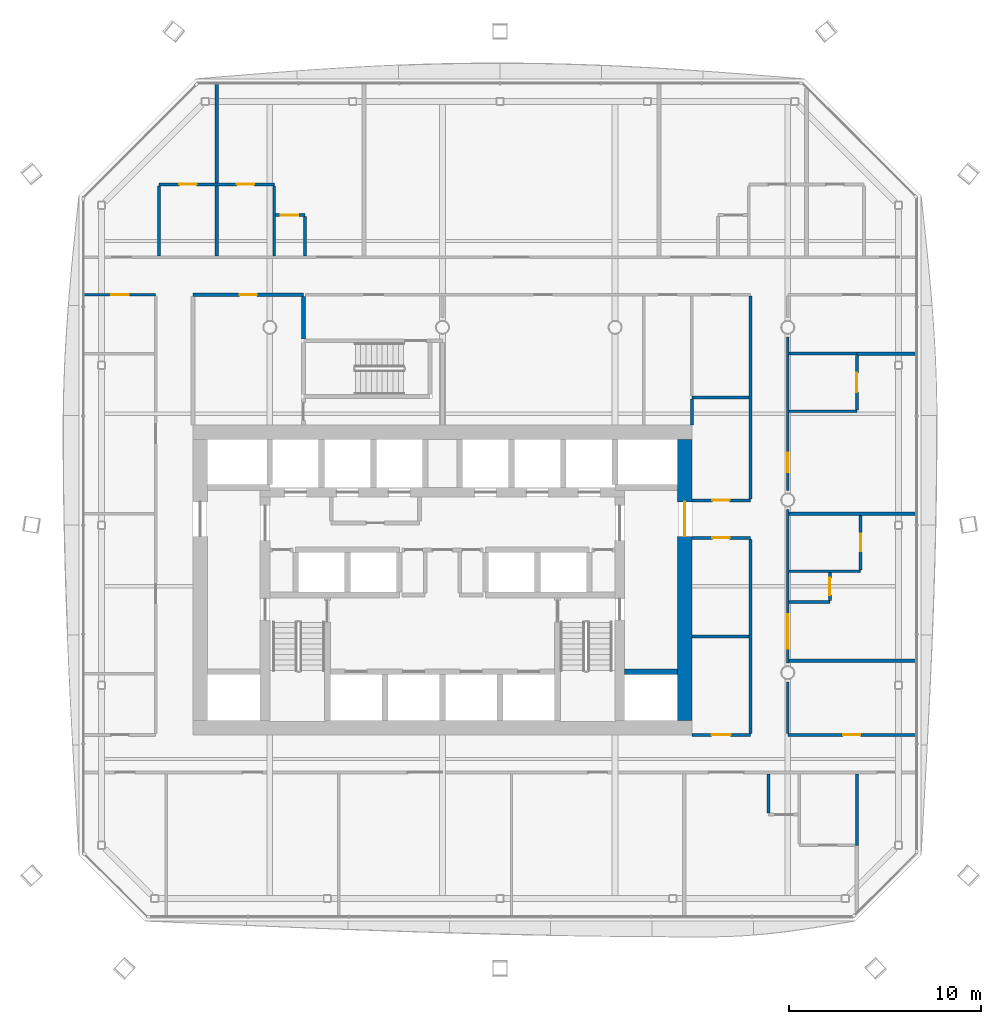
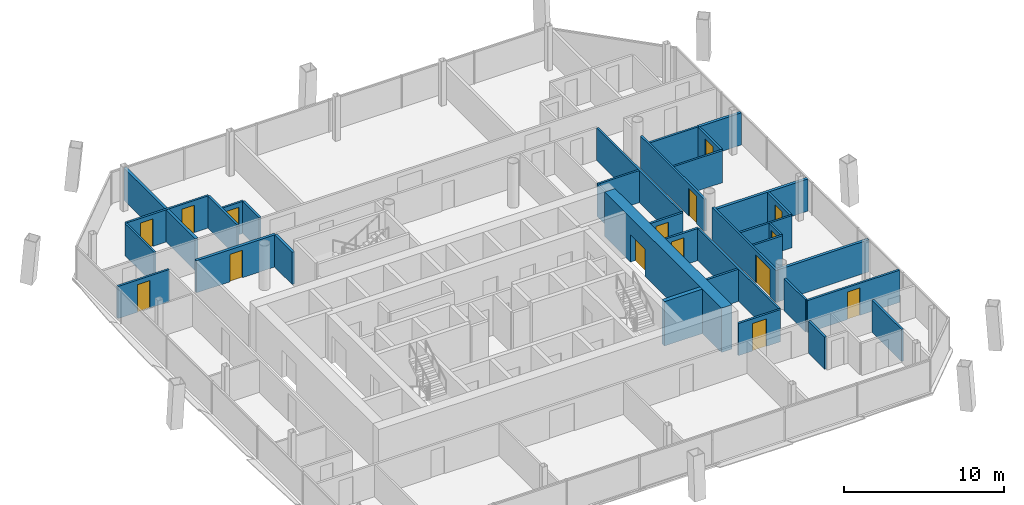
# One storey, part 13 of 17: 35 walls, 15 doors, 15 openings.
"""IFC4 building model written with IfcOpenShell, lengths in metres."""

from ifc_helpers import new_model, si_unit, direction, frame, frame_2d, origin, place, context, subcontext, project, spatial, rectangle, extrude, material, layer, layer_set, type_object, element, fill, save


model = new_model("IFC4")

# Units and contexts
model_context = context("Model", 3, precision=1e-05, world=origin(), true_north=direction((0.0, 1.0)))
body_context = subcontext(model_context, "Body", "Model", "MODEL_VIEW")
ifc_project = project(units=[si_unit("LENGTHUNIT", "METRE"), si_unit("AREAUNIT", "SQUARE_METRE"), si_unit("VOLUMEUNIT", "CUBIC_METRE"), si_unit("PLANEANGLEUNIT", "RADIAN"), si_unit("MASSUNIT", "GRAM", prefix="KILO")], contexts=[model_context])

# Site, building, storey
site_placement = place(None, origin())
site = spatial("IfcSite", under=ifc_project, at=site_placement, CompositionType="ELEMENT")
building_placement = place(site_placement, origin())
building = spatial("IfcBuilding", under=site, at=building_placement, Name="Tskaro Facet Tower", CompositionType="ELEMENT")
storey_placement = place(building_placement, frame((0.0, 0.0, 158.89990234375)))
storey = spatial("IfcBuildingStorey", under=building, at=storey_placement, Name="L39", CompositionType="ELEMENT", Elevation=158.89990234375)

# Wall
ifc_material_1 = material(Name="Concrete C60/75", Category="concrete")
ifc_layer_1 = layer(ifc_material_1, 0.300048828125, Name="Concrete C60/75")
ifc_layer_set_1 = layer_set([ifc_layer_1], Name="Concrete C60/75")
wall_type_1 = type_object("IfcWallType", Name="CORE-SHAFT", PredefinedType="SHEAR", material=ifc_layer_set_1)
wall_1_placement = place(storey_placement, frame((9.5, -8.949951171875, 0.0), z_axis=(0.0, 0.0, 1.0), x_axis=(1.0, 0.0, 0.0)))
element("IfcWall", 1, at=wall_1_placement, inside=storey, type_object=wall_type_1, Name="Shaft wall W010", PredefinedType="SHEAR", context=body_context, shape_type="SweptSolid", body=[
    extrude(rectangle(XDim=2.75, YDim=0.300048828125, at=frame_2d((1.375, 0.0))), origin(), (0.0, 0.0, 1.0), 3.400146484375),
])

# Wall, opening, door
ifc_material_2 = material(Name="Concrete C50/60", Category="concrete")
ifc_layer_2 = layer(ifc_material_2, 0.75, Name="Concrete C50/60")
ifc_layer_set_2 = layer_set([ifc_layer_2], Name="Concrete C50/60")
wall_type_2 = type_object("IfcWallType", Name="Core wall 750", PredefinedType="SHEAR", material=ifc_layer_set_2)
wall_2_placement = place(storey_placement, frame((12.625, -11.5, 0.0), z_axis=(0.0, 0.0, 1.0), x_axis=(0.0, 1.0, 0.0)))
wall_2 = element("IfcWall", 2, at=wall_2_placement, inside=storey, type_object=wall_type_2, Name="Core wall CW-Z2E", PredefinedType="SHEAR", context=body_context, shape_type="SweptSolid", body=[
    extrude(rectangle(XDim=14.64990234375, YDim=0.75, at=frame_2d((7.324951171875, 0.0))), origin(), (0.0, 0.0, 1.0), 3.400146484375),
])
opening_1_placement = place(wall_2_placement, frame((9.60009765625, 0.0, 0.0)))
opening_1 = element("IfcOpeningElement", 3, at=opening_1_placement, cuts=wall_2, Name="Opening T11p-D27", PredefinedType="OPENING", context=body_context, shape_type="SweptSolid", body=[
    extrude(rectangle(XDim=1.800048828125, YDim=2.10009765625, at=frame_2d((0.89990234375, 1.050048828125))), frame((0.0, 0.385009765625, 0.0), z_axis=(0.0, -1.0, 0.0), x_axis=(1.0, 0.0, 0.0)), (0.0, 0.0, 1.0), 0.77001953125),
])
ifc_material_3 = material(Name="Steel", Category="steel")
door_type_1 = type_object("IfcDoorType", Name="D-CORE-PAIR", OperationType="NOTDEFINED", PredefinedType="DOOR", material=ifc_material_3)
door_1_placement = place(opening_1_placement, origin())
door_1 = element("IfcDoor", 4, at=door_1_placement, inside=storey, type_object=door_type_1, Name="Door T11p-D27", OperationType="DOUBLE_DOOR_SINGLE_SWING", OverallHeight=2.10009765625, OverallWidth=1.800048828125, PredefinedType="DOOR", context=body_context, shape_type="SweptSolid", body=[
    extrude(rectangle(XDim=1.800048828125, YDim=2.10009765625, at=frame_2d((0.89990234375, 1.050048828125))), frame((0.0, 0.02490234375, 0.0), z_axis=(0.0, -1.0, 0.0), x_axis=(1.0, 0.0, 0.0)), (0.0, 0.0, 1.0), 0.050048828125),
])
fill(opening_1, door_1)

ifc_material_4 = material(Name="Gypsum board on steel studs", Category="steel")
ifc_layer_3 = layer(ifc_material_4, 0.14990234375, Name="Gypsum board on steel studs")
ifc_layer_set_3 = layer_set([ifc_layer_3], Name="Gypsum board on steel studs")
wall_type_3 = type_object("IfcWallType", Name="PART-CORR", PredefinedType="PARTITIONING", material=ifc_layer_set_3)
wall_3_placement = place(storey_placement, frame((13.0, -12.25, 0.0), z_axis=(0.0, 0.0, 1.0), x_axis=(1.0, 0.0, 0.0)))
wall_3 = element("IfcWall", 5, at=wall_3_placement, inside=storey, type_object=wall_type_3, Name="Corridor wall W005", PredefinedType="PARTITIONING", context=body_context, shape_type="SweptSolid", body=[
    extrude(rectangle(XDim=3.050048828125, YDim=0.14990234375, at=frame_2d((1.52490234375, 0.0))), origin(), (0.0, 0.0, 1.0), 2.460205078125),
])
opening_2_placement = place(wall_3_placement, frame((1.02490234375, 0.0, 0.0)))
opening_2 = element("IfcOpeningElement", 6, at=opening_2_placement, cuts=wall_3, Name="Opening T11p-D10", PredefinedType="OPENING", context=body_context, shape_type="SweptSolid", body=[
    extrude(rectangle(XDim=1.0, YDim=2.10009765625, at=frame_2d((0.5, 1.050048828125))), frame((0.0, 0.0849609375, 0.0), z_axis=(0.0, -1.0, 0.0), x_axis=(1.0, 0.0, 0.0)), (0.0, 0.0, 1.0), 0.169921875),
])
ifc_material_5 = material(Name="Timber", Category="wood")
door_type_2 = type_object("IfcDoorType", Name="D-ROOM-WIDE", OperationType="NOTDEFINED", PredefinedType="DOOR", material=ifc_material_5)
door_2_placement = place(opening_2_placement, origin())
door_2 = element("IfcDoor", 7, at=door_2_placement, inside=storey, type_object=door_type_2, Name="Door T11p-D10", OperationType="SINGLE_SWING_LEFT", OverallHeight=2.10009765625, OverallWidth=1.0, PredefinedType="DOOR", context=body_context, shape_type="SweptSolid", body=[
    extrude(rectangle(XDim=1.0, YDim=2.10009765625, at=frame_2d((0.5, 1.050048828125))), frame((0.0, 0.02490234375, 0.0), z_axis=(0.0, -1.0, 0.0), x_axis=(1.0, 0.0, 0.0)), (0.0, 0.0, 1.0), 0.050048828125),
])
fill(opening_2, door_2)

wall_4_placement = place(storey_placement, frame((18.0, -12.25, 0.0), z_axis=(0.0, 0.0, 1.0), x_axis=(1.0, 0.0, 0.0)))
wall_4 = element("IfcWall", 8, at=wall_4_placement, inside=storey, type_object=wall_type_3, Name="Corridor wall W006", PredefinedType="PARTITIONING", context=body_context, shape_type="SweptSolid", body=[
    extrude(rectangle(XDim=6.674072265625, YDim=0.14990234375, at=frame_2d((3.3369140625, 0.0))), origin(), (0.0, 0.0, 1.0), 2.460205078125),
])
opening_3_placement = place(wall_4_placement, frame((2.886962890625, 0.0, 0.0)))
opening_3 = element("IfcOpeningElement", 9, at=opening_3_placement, cuts=wall_4, Name="Opening T11p-D11", PredefinedType="OPENING", context=body_context, shape_type="SweptSolid", body=[
    extrude(rectangle(XDim=0.89990234375, YDim=2.10009765625, at=frame_2d((0.449951171875, 1.050048828125))), frame((0.0, 0.0849609375, 0.0), z_axis=(0.0, -1.0, 0.0), x_axis=(1.0, 0.0, 0.0)), (0.0, 0.0, 1.0), 0.169921875),
])
door_type_3 = type_object("IfcDoorType", Name="D-ROOM", OperationType="NOTDEFINED", PredefinedType="DOOR", material=ifc_material_5)
door_3_placement = place(opening_3_placement, origin())
door_3 = element("IfcDoor", 10, at=door_3_placement, inside=storey, type_object=door_type_3, Name="Door T11p-D11", OperationType="SINGLE_SWING_LEFT", OverallHeight=2.10009765625, OverallWidth=0.89990234375, PredefinedType="DOOR", context=body_context, shape_type="SweptSolid", body=[
    extrude(rectangle(XDim=0.89990234375, YDim=2.10009765625, at=frame_2d((0.449951171875, 1.050048828125))), frame((0.0, 0.02490234375, 0.0), z_axis=(0.0, -1.0, 0.0), x_axis=(1.0, 0.0, 0.0)), (0.0, 0.0, 1.0), 0.050048828125),
])
fill(opening_3, door_3)

# Walls
wall_5_placement = place(storey_placement, frame((13.0, -7.112060546875, 0.0), z_axis=(0.0, 0.0, 1.0), x_axis=(1.0, 0.0, 0.0)))
element("IfcWall", 11, at=wall_5_placement, inside=storey, type_object=wall_type_3, Name="Corridor wall W012", PredefinedType="PARTITIONING", context=body_context, shape_type="SweptSolid", body=[
    extrude(rectangle(XDim=2.97509765625, YDim=0.14990234375, at=frame_2d((1.487548828125, 0.0))), origin(), (0.0, 0.0, 1.0), 2.460205078125),
])
wall_6_placement = place(storey_placement, frame((18.074951171875, -5.31591796875, 0.0), z_axis=(0.0, 0.0, 1.0), x_axis=(1.0, 0.0, 0.0)))
element("IfcWall", 12, at=wall_6_placement, inside=storey, type_object=wall_type_3, Name="Corridor wall W013", PredefinedType="PARTITIONING", context=body_context, shape_type="SweptSolid", body=[
    extrude(rectangle(XDim=2.125, YDim=0.14990234375, at=frame_2d((1.0625, 0.0))), origin(), (0.0, 0.0, 1.0), 2.460205078125),
])
wall_7_placement = place(storey_placement, frame((18.074951171875, -3.716064453125, 0.0), z_axis=(0.0, 0.0, 1.0), x_axis=(1.0, 0.0, 0.0)))
element("IfcWall", 13, at=wall_7_placement, inside=storey, type_object=wall_type_3, Name="Corridor wall W018", PredefinedType="PARTITIONING", context=body_context, shape_type="SweptSolid", body=[
    extrude(rectangle(XDim=3.72509765625, YDim=0.14990234375, at=frame_2d((1.862548828125, 0.0))), origin(), (0.0, 0.0, 1.0), 2.460205078125),
])

# Wall, opening, door
wall_8_placement = place(storey_placement, frame((16.050048828125, -1.97509765625, 0.0), z_axis=(0.0, 0.0, 1.0), x_axis=(-1.0, 0.0, 0.0)))
wall_8 = element("IfcWall", 14, at=wall_8_placement, inside=storey, type_object=wall_type_3, Name="Corridor wall W024", PredefinedType="PARTITIONING", context=body_context, shape_type="SweptSolid", body=[
    extrude(rectangle(XDim=3.050048828125, YDim=0.14990234375, at=frame_2d((1.52490234375, 0.0))), origin(), (0.0, 0.0, 1.0), 2.460205078125),
])
opening_4_placement = place(wall_8_placement, frame((1.074951171875, 0.0, 0.0)))
opening_4 = element("IfcOpeningElement", 15, at=opening_4_placement, cuts=wall_8, Name="Opening T11p-D22", PredefinedType="OPENING", context=body_context, shape_type="SweptSolid", body=[
    extrude(rectangle(XDim=0.89990234375, YDim=2.10009765625, at=frame_2d((0.449951171875, 1.050048828125))), frame((0.0, 0.0849609375, 0.0), z_axis=(0.0, -1.0, 0.0), x_axis=(1.0, 0.0, 0.0)), (0.0, 0.0, 1.0), 0.169921875),
])
door_4_placement = place(opening_4_placement, origin())
door_4 = element("IfcDoor", 16, at=door_4_placement, inside=storey, type_object=door_type_3, Name="Door T11p-D22", OperationType="SINGLE_SWING_RIGHT", OverallHeight=2.10009765625, OverallWidth=0.89990234375, PredefinedType="DOOR", context=body_context, shape_type="SweptSolid", body=[
    extrude(rectangle(XDim=0.89990234375, YDim=2.10009765625, at=frame_2d((0.449951171875, 1.050048828125))), frame((0.0, 0.02490234375, 0.0), z_axis=(0.0, -1.0, 0.0), x_axis=(1.0, 0.0, 0.0)), (0.0, 0.0, 1.0), 0.050048828125),
])
fill(opening_4, door_4)

wall_9_placement = place(storey_placement, frame((13.0, -0.02490234375, 0.0), z_axis=(0.0, 0.0, 1.0), x_axis=(1.0, 0.0, 0.0)))
wall_9 = element("IfcWall", 17, at=wall_9_placement, inside=storey, type_object=wall_type_3, Name="Corridor wall W028", PredefinedType="PARTITIONING", context=body_context, shape_type="SweptSolid", body=[
    extrude(rectangle(XDim=3.050048828125, YDim=0.14990234375, at=frame_2d((1.52490234375, 0.0))), origin(), (0.0, 0.0, 1.0), 2.460205078125),
])
opening_5_placement = place(wall_9_placement, frame((1.074951171875, 0.0, 0.0)))
opening_5 = element("IfcOpeningElement", 18, at=opening_5_placement, cuts=wall_9, Name="Opening T11p-D28", PredefinedType="OPENING", context=body_context, shape_type="SweptSolid", body=[
    extrude(rectangle(XDim=0.89990234375, YDim=2.10009765625, at=frame_2d((0.449951171875, 1.050048828125))), frame((0.0, 0.0849609375, 0.0), z_axis=(0.0, -1.0, 0.0), x_axis=(1.0, 0.0, 0.0)), (0.0, 0.0, 1.0), 0.169921875),
])
door_5_placement = place(opening_5_placement, origin())
door_5 = element("IfcDoor", 19, at=door_5_placement, inside=storey, type_object=door_type_3, Name="Door T11p-D28", OperationType="SINGLE_SWING_LEFT", OverallHeight=2.10009765625, OverallWidth=0.89990234375, PredefinedType="DOOR", context=body_context, shape_type="SweptSolid", body=[
    extrude(rectangle(XDim=0.89990234375, YDim=2.10009765625, at=frame_2d((0.449951171875, 1.050048828125))), frame((0.0, 0.02490234375, 0.0), z_axis=(0.0, -1.0, 0.0), x_axis=(1.0, 0.0, 0.0)), (0.0, 0.0, 1.0), 0.050048828125),
])
fill(opening_5, door_5)

# Walls
wall_10_placement = place(storey_placement, frame((18.074951171875, 4.6259765625, 0.0), z_axis=(0.0, 0.0, 1.0), x_axis=(1.0, 0.0, 0.0)))
element("IfcWall", 20, at=wall_10_placement, inside=storey, type_object=wall_type_3, Name="Corridor wall W031", PredefinedType="PARTITIONING", context=body_context, shape_type="SweptSolid", body=[
    extrude(rectangle(XDim=3.525146484375, YDim=0.14990234375, at=frame_2d((1.7626953125, 0.0))), origin(), (0.0, 0.0, 1.0), 2.460205078125),
])
wall_11_placement = place(storey_placement, frame((13.0, 5.3369140625, 0.0), z_axis=(0.0, 0.0, 1.0), x_axis=(1.0, 0.0, 0.0)))
element("IfcWall", 21, at=wall_11_placement, inside=storey, type_object=wall_type_3, Name="Corridor wall W032", PredefinedType="PARTITIONING", context=body_context, shape_type="SweptSolid", body=[
    extrude(rectangle(XDim=2.97509765625, YDim=0.14990234375, at=frame_2d((1.487548828125, 0.0))), origin(), (0.0, 0.0, 1.0), 2.460205078125),
])
wall_12_placement = place(storey_placement, frame((18.074951171875, 7.6259765625, 0.0), z_axis=(0.0, 0.0, 1.0), x_axis=(1.0, 0.0, 0.0)))
element("IfcWall", 22, at=wall_12_placement, inside=storey, type_object=wall_type_3, Name="Corridor wall W035", PredefinedType="PARTITIONING", context=body_context, shape_type="SweptSolid", body=[
    extrude(rectangle(XDim=3.525146484375, YDim=0.14990234375, at=frame_2d((1.7626953125, 0.0))), origin(), (0.0, 0.0, 1.0), 2.460205078125),
])

# Wall, opening, door
wall_13_placement = place(storey_placement, frame((-14.949951171875, 10.699951171875, 0.0), z_axis=(0.0, 0.0, 1.0), x_axis=(-1.0, 0.0, 0.0)))
wall_13 = element("IfcWall", 23, at=wall_13_placement, inside=storey, type_object=wall_type_3, Name="Corridor wall W039", PredefinedType="PARTITIONING", context=body_context, shape_type="SweptSolid", body=[
    extrude(rectangle(XDim=3.72412109375, YDim=0.14990234375, at=frame_2d((1.862060546875, 0.0))), origin(), (0.0, 0.0, 1.0), 2.460205078125),
])
opening_6_placement = place(wall_13_placement, frame((1.412109375, 0.0, 0.0)))
opening_6 = element("IfcOpeningElement", 24, at=opening_6_placement, cuts=wall_13, Name="Opening T11p-D35", PredefinedType="OPENING", context=body_context, shape_type="SweptSolid", body=[
    extrude(rectangle(XDim=0.89990234375, YDim=2.10009765625, at=frame_2d((0.449951171875, 1.050048828125))), frame((0.0, 0.0849609375, 0.0), z_axis=(0.0, -1.0, 0.0), x_axis=(1.0, 0.0, 0.0)), (0.0, 0.0, 1.0), 0.169921875),
])
door_6_placement = place(opening_6_placement, origin())
door_6 = element("IfcDoor", 25, at=door_6_placement, inside=storey, type_object=door_type_3, Name="Door T11p-D35", OperationType="SINGLE_SWING_RIGHT", OverallHeight=2.10009765625, OverallWidth=0.89990234375, PredefinedType="DOOR", context=body_context, shape_type="SweptSolid", body=[
    extrude(rectangle(XDim=0.89990234375, YDim=2.10009765625, at=frame_2d((0.449951171875, 1.050048828125))), frame((0.0, 0.02490234375, 0.0), z_axis=(0.0, -1.0, 0.0), x_axis=(1.0, 0.0, 0.0)), (0.0, 0.0, 1.0), 0.050048828125),
])
fill(opening_6, door_6)

wall_14_placement = place(storey_placement, frame((-7.16796875, 14.85009765625, 0.0), z_axis=(0.0, 0.0, 1.0), x_axis=(-1.0, 0.0, 0.0)))
wall_14 = element("IfcWall", 26, at=wall_14_placement, inside=storey, type_object=wall_type_3, Name="Corridor wall W044", PredefinedType="PARTITIONING", context=body_context, shape_type="SweptSolid", body=[
    extrude(rectangle(XDim=1.525146484375, YDim=0.14990234375, at=frame_2d((0.7626953125, 0.0))), origin(), (0.0, 0.0, 1.0), 2.460205078125),
])
opening_7_placement = place(wall_14_placement, frame((0.35009765625, 0.0, 0.0)))
opening_7 = element("IfcOpeningElement", 27, at=opening_7_placement, cuts=wall_14, Name="Opening T11p-D47", PredefinedType="OPENING", context=body_context, shape_type="SweptSolid", body=[
    extrude(rectangle(XDim=0.89990234375, YDim=2.10009765625, at=frame_2d((0.449951171875, 1.050048828125))), frame((0.0, 0.0849609375, 0.0), z_axis=(0.0, -1.0, 0.0), x_axis=(1.0, 0.0, 0.0)), (0.0, 0.0, 1.0), 0.169921875),
])
door_7_placement = place(opening_7_placement, origin())
door_7 = element("IfcDoor", 28, at=door_7_placement, inside=storey, type_object=door_type_3, Name="Door T11p-D47", OperationType="SINGLE_SWING_RIGHT", OverallHeight=2.10009765625, OverallWidth=0.89990234375, PredefinedType="DOOR", context=body_context, shape_type="SweptSolid", body=[
    extrude(rectangle(XDim=0.89990234375, YDim=2.10009765625, at=frame_2d((0.449951171875, 1.050048828125))), frame((0.0, 0.02490234375, 0.0), z_axis=(0.0, -1.0, 0.0), x_axis=(1.0, 0.0, 0.0)), (0.0, 0.0, 1.0), 0.050048828125),
])
fill(opening_7, door_7)

# Wall, openings, doors
wall_15_placement = place(storey_placement, frame((-8.76806640625, 16.449951171875, 0.0), z_axis=(0.0, 0.0, 1.0), x_axis=(-1.0, 0.0, 0.0)))
wall_15 = element("IfcWall", 29, at=wall_15_placement, inside=storey, type_object=wall_type_3, Name="Corridor wall W046", PredefinedType="PARTITIONING", context=body_context, shape_type="SweptSolid", body=[
    extrude(rectangle(XDim=6.0, YDim=0.14990234375, at=frame_2d((3.0, 0.0))), origin(), (0.0, 0.0, 1.0), 2.460205078125),
])
opening_8_placement = place(wall_15_placement, frame((4.050048828125, 0.0, 0.0)))
opening_8 = element("IfcOpeningElement", 30, at=opening_8_placement, cuts=wall_15, Name="Opening T11p-D49", PredefinedType="OPENING", context=body_context, shape_type="SweptSolid", body=[
    extrude(rectangle(XDim=0.89990234375, YDim=2.10009765625, at=frame_2d((0.449951171875, 1.050048828125))), frame((0.0, 0.0849609375, 0.0), z_axis=(0.0, -1.0, 0.0), x_axis=(1.0, 0.0, 0.0)), (0.0, 0.0, 1.0), 0.169921875),
])
opening_9_placement = place(wall_15_placement, frame((1.050048828125, 0.0, 0.0)))
opening_9 = element("IfcOpeningElement", 31, at=opening_9_placement, cuts=wall_15, Name="Opening T11p-D50", PredefinedType="OPENING", context=body_context, shape_type="SweptSolid", body=[
    extrude(rectangle(XDim=0.89990234375, YDim=2.10009765625, at=frame_2d((0.449951171875, 1.050048828125))), frame((0.0, 0.0849609375, 0.0), z_axis=(0.0, -1.0, 0.0), x_axis=(1.0, 0.0, 0.0)), (0.0, 0.0, 1.0), 0.169921875),
])
door_8_placement = place(opening_8_placement, origin())
door_8 = element("IfcDoor", 32, at=door_8_placement, inside=storey, type_object=door_type_3, Name="Door T11p-D49", OperationType="SINGLE_SWING_RIGHT", OverallHeight=2.10009765625, OverallWidth=0.89990234375, PredefinedType="DOOR", context=body_context, shape_type="SweptSolid", body=[
    extrude(rectangle(XDim=0.89990234375, YDim=2.10009765625, at=frame_2d((0.449951171875, 1.050048828125))), frame((0.0, 0.02490234375, 0.0), z_axis=(0.0, -1.0, 0.0), x_axis=(1.0, 0.0, 0.0)), (0.0, 0.0, 1.0), 0.050048828125),
])
fill(opening_8, door_8)
door_9_placement = place(opening_9_placement, origin())
door_9 = element("IfcDoor", 33, at=door_9_placement, inside=storey, type_object=door_type_3, Name="Door T11p-D50", OperationType="SINGLE_SWING_RIGHT", OverallHeight=2.10009765625, OverallWidth=0.89990234375, PredefinedType="DOOR", context=body_context, shape_type="SweptSolid", body=[
    extrude(rectangle(XDim=0.89990234375, YDim=2.10009765625, at=frame_2d((0.449951171875, 1.050048828125))), frame((0.0, 0.02490234375, 0.0), z_axis=(0.0, -1.0, 0.0), x_axis=(1.0, 0.0, 0.0)), (0.0, 0.0, 1.0), 0.050048828125),
])
fill(opening_9, door_9)

# Walls
for number, where, z_axis, x_axis, name in (
    (34, (-14.76806640625, 12.72509765625, 0.0), (0.0, 0.0, 1.0), (0.0, 1.0, 0.0), "Corridor wall W049"),
    (35, (-8.76806640625, 12.72509765625, 0.0), (0.0, 0.0, 1.0), (0.0, 1.0, 0.0), "Corridor wall W054"),
):
    element("IfcWall", number, at=place(storey_placement, frame(where, z_axis=z_axis, x_axis=x_axis)), inside=storey, type_object=wall_type_3, Name=name, PredefinedType="PARTITIONING", context=body_context, shape_type="SweptSolid", body=[
        extrude(rectangle(XDim=3.64990234375, YDim=0.14990234375, at=frame_2d((1.824951171875, 0.0))), origin(), (0.0, 0.0, 1.0), 2.460205078125),
    ])
wall_16_placement = place(storey_placement, frame((-7.16796875, 12.72509765625, 0.0), z_axis=(0.0, 0.0, 1.0), x_axis=(0.0, 1.0, 0.0)))
element("IfcWall", 36, at=wall_16_placement, inside=storey, type_object=wall_type_3, Name="Corridor wall W059", PredefinedType="PARTITIONING", context=body_context, shape_type="SweptSolid", body=[
    extrude(rectangle(XDim=2.0498046875, YDim=0.14990234375, at=frame_2d((1.02490234375, 0.0))), origin(), (0.0, 0.0, 1.0), 2.460205078125),
])
wall_17_placement = place(storey_placement, frame((13.0, 3.89990234375, 0.0), z_axis=(0.0, 0.0, 1.0), x_axis=(0.0, 1.0, 0.0)))
element("IfcWall", 37, at=wall_17_placement, inside=storey, type_object=wall_type_3, Name="Corridor wall W090", PredefinedType="PARTITIONING", context=body_context, shape_type="SweptSolid", body=[
    extrude(rectangle(XDim=1.362060546875, YDim=0.14990234375, at=frame_2d((0.68115234375, 0.0))), origin(), (0.0, 0.0, 1.0), 2.460205078125),
])
wall_18_placement = place(storey_placement, frame((16.050048828125, -12.175048828125, 0.0), z_axis=(0.0, 0.0, 1.0), x_axis=(0.0, 1.0, 0.0)))
element("IfcWall", 38, at=wall_18_placement, inside=storey, type_object=wall_type_3, Name="Corridor wall W094", PredefinedType="PARTITIONING", context=body_context, shape_type="SweptSolid", body=[
    extrude(rectangle(XDim=10.125, YDim=0.14990234375, at=frame_2d((5.0625, 0.0))), origin(), (0.0, 0.0, 1.0), 2.460205078125),
])
wall_19_placement = place(storey_placement, frame((16.050048828125, 0.050048828125, 0.0), z_axis=(0.0, 0.0, 1.0), x_axis=(0.0, 1.0, 0.0)))
element("IfcWall", 39, at=wall_19_placement, inside=storey, type_object=wall_type_3, Name="Corridor wall W095", PredefinedType="PARTITIONING", context=body_context, shape_type="SweptSolid", body=[
    extrude(rectangle(XDim=10.574951171875, YDim=0.14990234375, at=frame_2d((5.28759765625, 0.0))), origin(), (0.0, 0.0, 1.0), 2.460205078125),
])
wall_20_placement = place(storey_placement, frame((16.9990234375, -16.324951171875, 0.0), z_axis=(0.0, 0.0, 1.0), x_axis=(0.0, 1.0, 0.0)))
element("IfcWall", 40, at=wall_20_placement, inside=storey, type_object=wall_type_3, Name="Corridor wall W096", PredefinedType="PARTITIONING", context=body_context, shape_type="SweptSolid", body=[
    extrude(rectangle(XDim=2.050048828125, YDim=0.14990234375, at=frame_2d((1.02490234375, 0.0))), origin(), (0.0, 0.0, 1.0), 2.460205078125),
])
wall_21_placement = place(storey_placement, frame((18.0, -12.175048828125, 0.0), z_axis=(0.0, 0.0, 1.0), x_axis=(0.0, 1.0, 0.0)))
element("IfcWall", 41, at=wall_21_placement, inside=storey, type_object=wall_type_3, Name="Corridor wall W097", PredefinedType="PARTITIONING", context=body_context, shape_type="SweptSolid", body=[
    extrude(rectangle(XDim=2.675048828125, YDim=0.14990234375, at=frame_2d((1.33740234375, 0.0))), origin(), (0.0, 0.0, 1.0), 2.460205078125),
])

# Wall, opening, door
wall_22_placement = place(storey_placement, frame((18.0, -0.5, 0.0), z_axis=(0.0, 0.0, 1.0), x_axis=(0.0, -1.0, 0.0)))
wall_22 = element("IfcWall", 42, at=wall_22_placement, inside=storey, type_object=wall_type_3, Name="Corridor wall W098", PredefinedType="PARTITIONING", context=body_context, shape_type="SweptSolid", body=[
    extrude(rectangle(XDim=8.0, YDim=0.14990234375, at=frame_2d((4.0, 0.0))), origin(), (0.0, 0.0, 1.0), 2.460205078125),
])
opening_10_placement = place(wall_22_placement, frame((5.447998046875, 0.0, 0.0)))
opening_10 = element("IfcOpeningElement", 43, at=opening_10_placement, cuts=wall_22, Name="Opening T11p-D14", PredefinedType="OPENING", context=body_context, shape_type="SweptSolid", body=[
    extrude(rectangle(XDim=1.800048828125, YDim=2.10009765625, at=frame_2d((0.89990234375, 1.050048828125))), frame((0.0, 0.0849609375, 0.0), z_axis=(0.0, -1.0, 0.0), x_axis=(1.0, 0.0, 0.0)), (0.0, 0.0, 1.0), 0.169921875),
])
door_type_4 = type_object("IfcDoorType", Name="D-SUITE-PAIR", OperationType="NOTDEFINED", PredefinedType="DOOR", material=ifc_material_5)
door_10_placement = place(opening_10_placement, origin())
door_10 = element("IfcDoor", 44, at=door_10_placement, inside=storey, type_object=door_type_4, Name="Door T11p-D14", OperationType="DOUBLE_DOOR_SINGLE_SWING", OverallHeight=2.10009765625, OverallWidth=1.800048828125, PredefinedType="DOOR", context=body_context, shape_type="SweptSolid", body=[
    extrude(rectangle(XDim=1.800048828125, YDim=2.10009765625, at=frame_2d((0.89990234375, 1.050048828125))), frame((0.0, 0.02490234375, 0.0), z_axis=(0.0, -1.0, 0.0), x_axis=(1.0, 0.0, 0.0)), (0.0, 0.0, 1.0), 0.050048828125),
])
fill(opening_10, door_10)

wall_23_placement = place(storey_placement, frame((18.0, 8.5, 0.0), z_axis=(0.0, 0.0, 1.0), x_axis=(0.0, -1.0, 0.0)))
wall_23 = element("IfcWall", 45, at=wall_23_placement, inside=storey, type_object=wall_type_3, Name="Corridor wall W099", PredefinedType="PARTITIONING", context=body_context, shape_type="SweptSolid", body=[
    extrude(rectangle(XDim=8.0, YDim=0.14990234375, at=frame_2d((4.0, 0.0))), origin(), (0.0, 0.0, 1.0), 2.460205078125),
])
opening_11_placement = place(wall_23_placement, frame((6.044921875, 0.0, 0.0)))
opening_11 = element("IfcOpeningElement", 46, at=opening_11_placement, cuts=wall_23, Name="Opening T11p-D31", PredefinedType="OPENING", context=body_context, shape_type="SweptSolid", body=[
    extrude(rectangle(XDim=1.0, YDim=2.10009765625, at=frame_2d((0.5, 1.050048828125))), frame((0.0, 0.0849609375, 0.0), z_axis=(0.0, -1.0, 0.0), x_axis=(1.0, 0.0, 0.0)), (0.0, 0.0, 1.0), 0.169921875),
])
door_type_5 = type_object("IfcDoorType", Name="D-ENTRY", OperationType="NOTDEFINED", PredefinedType="DOOR", material=ifc_material_5)
door_11_placement = place(opening_11_placement, origin())
door_11 = element("IfcDoor", 47, at=door_11_placement, inside=storey, type_object=door_type_5, Name="Door T11p-D31", OperationType="SINGLE_SWING_LEFT", OverallHeight=2.10009765625, OverallWidth=1.0, PredefinedType="DOOR", context=body_context, shape_type="SweptSolid", body=[
    extrude(rectangle(XDim=1.0, YDim=2.10009765625, at=frame_2d((0.5, 1.050048828125))), frame((0.0, 0.02490234375, 0.0), z_axis=(0.0, -1.0, 0.0), x_axis=(1.0, 0.0, 0.0)), (0.0, 0.0, 1.0), 0.050048828125),
])
fill(opening_11, door_11)

wall_24_placement = place(storey_placement, frame((20.199951171875, -5.240966796875, 0.0), z_axis=(0.0, 0.0, 1.0), x_axis=(0.0, 1.0, 0.0)))
wall_24 = element("IfcWall", 48, at=wall_24_placement, inside=storey, type_object=wall_type_3, Name="Corridor wall W103", PredefinedType="PARTITIONING", context=body_context, shape_type="SweptSolid", body=[
    extrude(rectangle(XDim=1.449951171875, YDim=0.14990234375, at=frame_2d((0.72509765625, 0.0))), origin(), (0.0, 0.0, 1.0), 2.460205078125),
])
opening_12_placement = place(wall_24_placement, frame((0.27490234375, 0.0, 0.0)))
opening_12 = element("IfcOpeningElement", 49, at=opening_12_placement, cuts=wall_24, Name="Opening T11p-D16", PredefinedType="OPENING", context=body_context, shape_type="SweptSolid", body=[
    extrude(rectangle(XDim=0.89990234375, YDim=2.10009765625, at=frame_2d((0.449951171875, 1.050048828125))), frame((0.0, 0.0849609375, 0.0), z_axis=(0.0, -1.0, 0.0), x_axis=(1.0, 0.0, 0.0)), (0.0, 0.0, 1.0), 0.169921875),
])
door_12_placement = place(opening_12_placement, origin())
door_12 = element("IfcDoor", 50, at=door_12_placement, inside=storey, type_object=door_type_3, Name="Door T11p-D16", OperationType="SINGLE_SWING_LEFT", OverallHeight=2.10009765625, OverallWidth=0.89990234375, PredefinedType="DOOR", context=body_context, shape_type="SweptSolid", body=[
    extrude(rectangle(XDim=0.89990234375, YDim=2.10009765625, at=frame_2d((0.449951171875, 1.050048828125))), frame((0.0, 0.02490234375, 0.0), z_axis=(0.0, -1.0, 0.0), x_axis=(1.0, 0.0, 0.0)), (0.0, 0.0, 1.0), 0.050048828125),
])
fill(opening_12, door_12)

# Wall
wall_25_placement = place(storey_placement, frame((21.59912109375, -18.0, 0.0), z_axis=(0.0, 0.0, 1.0), x_axis=(0.0, 1.0, 0.0)))
element("IfcWall", 51, at=wall_25_placement, inside=storey, type_object=wall_type_3, Name="Corridor wall W105", PredefinedType="PARTITIONING", context=body_context, shape_type="SweptSolid", body=[
    extrude(rectangle(XDim=3.72509765625, YDim=0.14990234375, at=frame_2d((1.862548828125, 0.0))), origin(), (0.0, 0.0, 1.0), 2.460205078125),
])

# Wall, opening, door
wall_26_placement = place(storey_placement, frame((21.60009765625, 4.700927734375, 0.0), z_axis=(0.0, 0.0, 1.0), x_axis=(0.0, 1.0, 0.0)))
wall_26 = element("IfcWall", 52, at=wall_26_placement, inside=storey, type_object=wall_type_3, Name="Corridor wall W106", PredefinedType="PARTITIONING", context=body_context, shape_type="SweptSolid", body=[
    extrude(rectangle(XDim=2.824951171875, YDim=0.14990234375, at=frame_2d((1.41259765625, 0.0))), origin(), (0.0, 0.0, 1.0), 2.460205078125),
])
opening_13_placement = place(wall_26_placement, frame((0.925048828125, 0.0, 0.0)))
opening_13 = element("IfcOpeningElement", 53, at=opening_13_placement, cuts=wall_26, Name="Opening T11p-D34", PredefinedType="OPENING", context=body_context, shape_type="SweptSolid", body=[
    extrude(rectangle(XDim=1.0, YDim=2.10009765625, at=frame_2d((0.5, 1.050048828125))), frame((0.0, 0.0849609375, 0.0), z_axis=(0.0, -1.0, 0.0), x_axis=(1.0, 0.0, 0.0)), (0.0, 0.0, 1.0), 0.169921875),
])
door_13_placement = place(opening_13_placement, origin())
door_13 = element("IfcDoor", 54, at=door_13_placement, inside=storey, type_object=door_type_2, Name="Door T11p-D34", OperationType="SINGLE_SWING_LEFT", OverallHeight=2.10009765625, OverallWidth=1.0, PredefinedType="DOOR", context=body_context, shape_type="SweptSolid", body=[
    extrude(rectangle(XDim=1.0, YDim=2.10009765625, at=frame_2d((0.5, 1.050048828125))), frame((0.0, 0.02490234375, 0.0), z_axis=(0.0, -1.0, 0.0), x_axis=(1.0, 0.0, 0.0)), (0.0, 0.0, 1.0), 0.050048828125),
])
fill(opening_13, door_13)

wall_27_placement = place(storey_placement, frame((21.800048828125, -3.64111328125, 0.0), z_axis=(0.0, 0.0, 1.0), x_axis=(0.0, 1.0, 0.0)))
wall_27 = element("IfcWall", 55, at=wall_27_placement, inside=storey, type_object=wall_type_3, Name="Corridor wall W107", PredefinedType="PARTITIONING", context=body_context, shape_type="SweptSolid", body=[
    extrude(rectangle(XDim=2.8251953125, YDim=0.14990234375, at=frame_2d((1.41259765625, 0.0))), origin(), (0.0, 0.0, 1.0), 2.460205078125),
])
opening_14_placement = place(wall_27_placement, frame((0.97509765625, 0.0, 0.0)))
opening_14 = element("IfcOpeningElement", 56, at=opening_14_placement, cuts=wall_27, Name="Opening T11p-D21", PredefinedType="OPENING", context=body_context, shape_type="SweptSolid", body=[
    extrude(rectangle(XDim=0.89990234375, YDim=2.10009765625, at=frame_2d((0.449951171875, 1.050048828125))), frame((0.0, 0.0849609375, 0.0), z_axis=(0.0, -1.0, 0.0), x_axis=(1.0, 0.0, 0.0)), (0.0, 0.0, 1.0), 0.169921875),
])
door_14_placement = place(opening_14_placement, origin())
door_14 = element("IfcDoor", 57, at=door_14_placement, inside=storey, type_object=door_type_3, Name="Door T11p-D21", OperationType="SINGLE_SWING_LEFT", OverallHeight=2.10009765625, OverallWidth=0.89990234375, PredefinedType="DOOR", context=body_context, shape_type="SweptSolid", body=[
    extrude(rectangle(XDim=0.89990234375, YDim=2.10009765625, at=frame_2d((0.449951171875, 1.050048828125))), frame((0.0, 0.02490234375, 0.0), z_axis=(0.0, -1.0, 0.0), x_axis=(1.0, 0.0, 0.0)), (0.0, 0.0, 1.0), 0.050048828125),
])
fill(opening_14, door_14)

# Walls
ifc_layer_4 = layer(ifc_material_4, 0.199951171875, Name="Gypsum board on steel studs")
ifc_layer_set_4 = layer_set([ifc_layer_4], Name="Gypsum board on steel studs")
wall_type_4 = type_object("IfcWallType", Name="PART-DEMISING", PredefinedType="PARTITIONING", material=ifc_layer_set_4)
for number, where, z_axis, x_axis, name in (
    (58, (18.074951171875, -8.3798828125, 0.0), (0.0, 0.0, 1.0), (1.0, 0.0, 0.0), "Guest room wall W011"),
    (59, (18.074951171875, -0.716064453125, 0.0), (0.0, 0.0, 1.0), (1.0, 0.0, 0.0), "Guest room wall W026"),
):
    element("IfcWall", number, at=place(storey_placement, frame(where, z_axis=z_axis, x_axis=x_axis)), inside=storey, type_object=wall_type_4, Name=name, PredefinedType="PARTITIONING", context=body_context, shape_type="SweptSolid", body=[
        extrude(rectangle(XDim=6.59912109375, YDim=0.199951171875, at=frame_2d((3.299560546875, 0.0))), origin(), (0.0, 0.0, 1.0), 2.460205078125),
    ])
wall_28_placement = place(storey_placement, frame((21.60009765625, 7.6259765625, 0.0), z_axis=(0.0, 0.0, 1.0), x_axis=(1.0, 0.0, 0.0)))
element("IfcWall", 60, at=wall_28_placement, inside=storey, type_object=wall_type_4, Name="Guest room wall W036", PredefinedType="PARTITIONING", context=body_context, shape_type="SweptSolid", body=[
    extrude(rectangle(XDim=3.073974609375, YDim=0.199951171875, at=frame_2d((1.537109375, 0.0))), origin(), (0.0, 0.0, 1.0), 2.460205078125),
])
wall_29_placement = place(storey_placement, frame((-11.76806640625, 12.72509765625, 0.0), z_axis=(0.0, 0.0, 1.0), x_axis=(0.0, 1.0, 0.0)))
element("IfcWall", 61, at=wall_29_placement, inside=storey, type_object=wall_type_4, Name="Guest room wall W052", PredefinedType="PARTITIONING", context=body_context, shape_type="SweptSolid", body=[
    extrude(rectangle(XDim=8.948974609375, YDim=0.199951171875, at=frame_2d((4.474609375, 0.0))), origin(), (0.0, 0.0, 1.0), 2.460205078125),
])

# Wall, opening, door
ifc_material_6 = material(Name="Concrete C20/25", Category="concrete")
ifc_layer_5 = layer(ifc_material_6, 0.199951171875, Name="Concrete C20/25")
ifc_layer_set_5 = layer_set([ifc_layer_5], Name="Concrete C20/25")
wall_type_5 = type_object("IfcWallType", Name="WALL-RISER", PredefinedType="SOLIDWALL", material=ifc_layer_set_5)
wall_30_placement = place(storey_placement, frame((-7.25, 10.699951171875, 0.0), z_axis=(0.0, 0.0, 1.0), x_axis=(-1.0, 0.0, 0.0)))
wall_30 = element("IfcWall", 62, at=wall_30_placement, inside=storey, type_object=wall_type_5, Name="Riser room wall W040", PredefinedType="SOLIDWALL", context=body_context, shape_type="SweptSolid", body=[
    extrude(rectangle(XDim=5.75, YDim=0.199951171875, at=frame_2d((2.875, 0.0))), origin(), (0.0, 0.0, 1.0), 2.460205078125),
])
opening_15_placement = place(wall_30_placement, frame((2.425048828125, 0.0, 0.0)))
opening_15 = element("IfcOpeningElement", 63, at=opening_15_placement, cuts=wall_30, Name="Opening T11p-D36", PredefinedType="OPENING", context=body_context, shape_type="SweptSolid", body=[
    extrude(rectangle(XDim=0.89990234375, YDim=2.10009765625, at=frame_2d((0.449951171875, 1.050048828125))), frame((0.0, 0.10986328125, 0.0), z_axis=(0.0, -1.0, 0.0), x_axis=(1.0, 0.0, 0.0)), (0.0, 0.0, 1.0), 0.219970703125),
])
door_type_6 = type_object("IfcDoorType", Name="D-RISER", OperationType="NOTDEFINED", PredefinedType="DOOR", material=ifc_material_3)
door_15_placement = place(opening_15_placement, origin())
door_15 = element("IfcDoor", 64, at=door_15_placement, inside=storey, type_object=door_type_6, Name="Door T11p-D36", OperationType="SINGLE_SWING_RIGHT", OverallHeight=2.10009765625, OverallWidth=0.89990234375, PredefinedType="DOOR", context=body_context, shape_type="SweptSolid", body=[
    extrude(rectangle(XDim=0.89990234375, YDim=2.10009765625, at=frame_2d((0.449951171875, 1.050048828125))), frame((0.0, 0.02490234375, 0.0), z_axis=(0.0, -1.0, 0.0), x_axis=(1.0, 0.0, 0.0)), (0.0, 0.0, 1.0), 0.050048828125),
])
fill(opening_15, door_15)

# Wall
wall_31_placement = place(storey_placement, frame((-7.25, 8.39990234375, 0.0), z_axis=(0.0, 0.0, 1.0), x_axis=(0.0, 1.0, 0.0)))
element("IfcWall", 65, at=wall_31_placement, inside=storey, type_object=wall_type_5, Name="Riser room wall W058", PredefinedType="SOLIDWALL", context=body_context, shape_type="SweptSolid", body=[
    extrude(rectangle(XDim=2.2001953125, YDim=0.199951171875, at=frame_2d((1.10009765625, 0.0))), origin(), (0.0, 0.0, 1.0), 2.460205078125),
])

save(model, "model.ifc")
